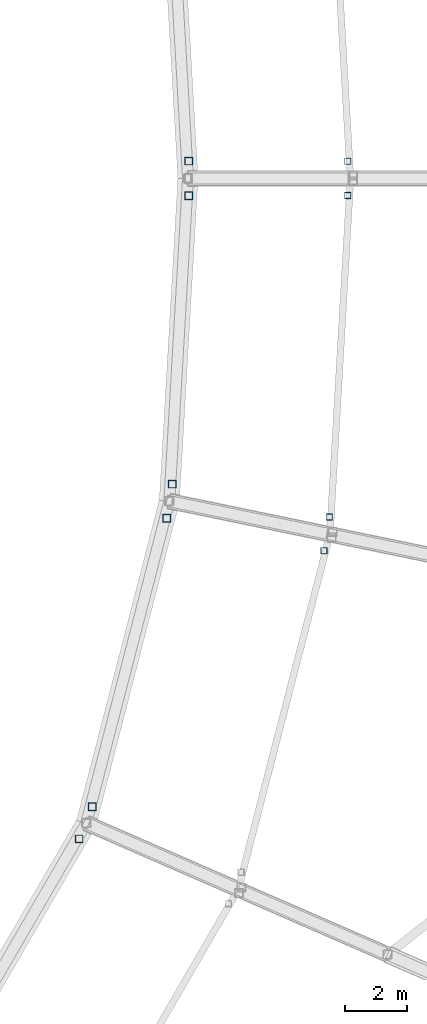
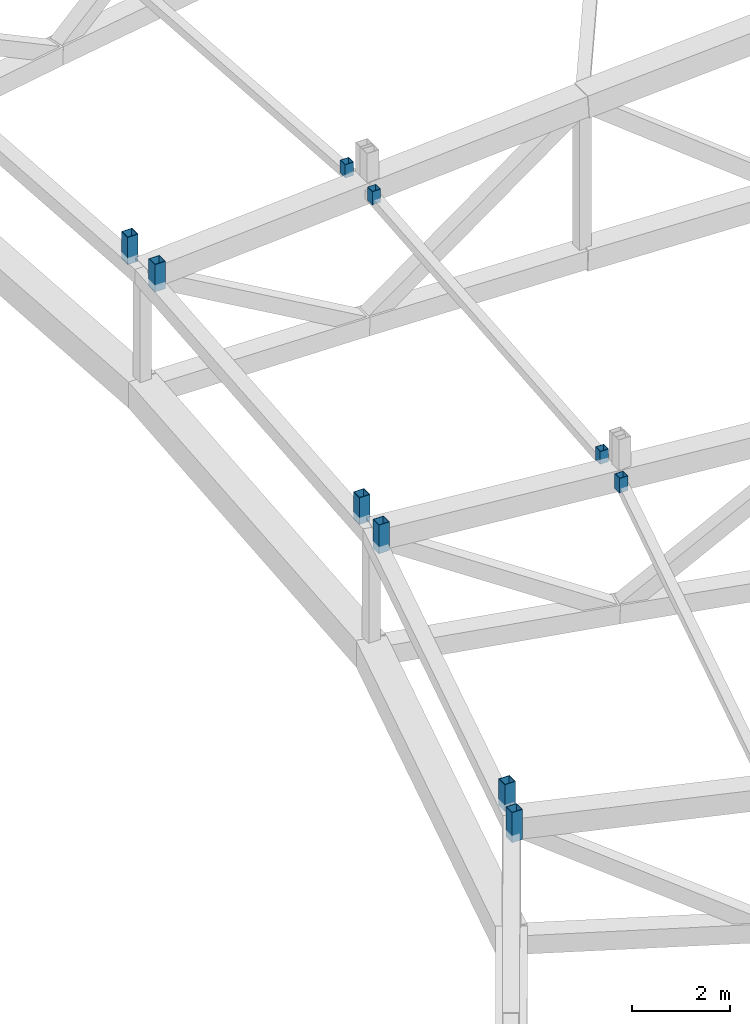
# One storey, part 117 of 162: 10 members.
"""IFC4 building model written with IfcOpenShell, lengths in metres."""

import ifcopenshell
import ifcopenshell.guid

model = None  # the IFC model being written
_history = None  # IfcOwnerHistory: only IFC2X3 demands one
_inside = {}  # id of a spatial element -> (the spatial element, [elements in it])
_under = {}  # id of a project, library or spatial element -> (it, [spatial elements below it])
_declared = {}  # id of a project -> (the project, [libraries it declares])
_typed = {}  # id of a type object -> (the type object, [elements of that type])
_made_of = {}  # id of a material, layer set ... -> (it, [elements and type objects made of it])


def new_model(schema):
    """Start an empty IFC model of exactly this schema.

    Asked for "IFC4X3", IfcOpenShell would pick the latest addendum, in which some entities
    have other attributes; the version numbers below select the first issue.
    IFC2X3 requires an IfcOwnerHistory on every rooted entity: one is made here for all.
    """
    global model, _history
    if schema == "IFC4X3":
        model = ifcopenshell.file(schema_version=(4, 3, 0, 0))
    else:
        model = ifcopenshell.file(schema=schema)
    _inside.clear()
    _under.clear()
    _declared.clear()
    _typed.clear()
    _made_of.clear()
    _history = None
    if model.schema == "IFC2X3":
        org = make("IfcOrganization", Name="unknown")
        user = make(
            "IfcPersonAndOrganization",
            ThePerson=make("IfcPerson", FamilyName="unknown"),
            TheOrganization=org,
        )
        app = make(
            "IfcApplication",
            ApplicationDeveloper=org,
            Version="unknown",
            ApplicationFullName="unknown",
            ApplicationIdentifier="unknown",
        )
        _history = make(
            "IfcOwnerHistory",
            OwningUser=user,
            OwningApplication=app,
            ChangeAction="ADDED",
            CreationDate=0,
        )
    return model


def make(cls, **values):
    """One entity of the class cls with the attributes given. An attribute that is None is left unset."""
    return model.create_entity(
        cls, **{name: value for name, value in values.items() if value is not None}
    )


def rooted(cls, **values):
    """An entity with a GlobalId (a new one), such as an element, a storey or a relation."""
    return make(cls, GlobalId=ifcopenshell.guid.new(), OwnerHistory=_history, **values)


def si_unit(unit_type, name, prefix=None):
    """IfcSIUnit, for example si_unit("LENGTHUNIT", "METRE", prefix="MILLI")."""
    return make("IfcSIUnit", UnitType=unit_type, Prefix=prefix, Name=name)


def assignment(units):
    """IfcUnitAssignment: the units of a project."""
    return None if units is None else make("IfcUnitAssignment", Units=units)


def point(xyz):
    """IfcCartesianPoint."""
    return None if xyz is None else make("IfcCartesianPoint", Coordinates=xyz)


def direction(xyz):
    """IfcDirection."""
    return None if xyz is None else make("IfcDirection", DirectionRatios=xyz)


def frame(location, z_axis=None, x_axis=None):
    """IfcAxis2Placement3D, a coordinate frame: its origin and axes. An axis left out is left unset."""
    return make(
        "IfcAxis2Placement3D",
        Location=point(location),
        Axis=direction(z_axis),
        RefDirection=direction(x_axis),
    )


def frame_2d(location, x_axis=None):
    """IfcAxis2Placement2D, a coordinate frame in the plane: its origin and x axis."""
    return make(
        "IfcAxis2Placement2D", Location=point(location), RefDirection=direction(x_axis)
    )


def origin():
    """The frame at (0, 0, 0) with its axes left unset."""
    return frame((0.0, 0.0, 0.0))


def origin_2d():
    """The frame at (0, 0) in the plane with its x axis left unset."""
    return frame_2d((0.0, 0.0))


def place(relative_to, where):
    """IfcLocalPlacement: puts the frame where relative to a parent placement (None: the world)."""
    return make(
        "IfcLocalPlacement", PlacementRelTo=relative_to, RelativePlacement=where
    )


def context(
    kind, dimensions, precision=None, world=None, true_north=None, identifier=None
):
    """IfcGeometricRepresentationContext, for example the 3D "Model" context."""
    return make(
        "IfcGeometricRepresentationContext",
        ContextIdentifier=identifier,
        ContextType=kind,
        CoordinateSpaceDimension=dimensions,
        Precision=precision,
        WorldCoordinateSystem=world,
        TrueNorth=true_north,
    )


def subcontext(parent, identifier, kind, view, scale=None):
    """IfcGeometricRepresentationSubContext, for example "Body" below "Model"."""
    return make(
        "IfcGeometricRepresentationSubContext",
        ContextIdentifier=identifier,
        ContextType=kind,
        ParentContext=parent,
        TargetScale=scale,
        TargetView=view,
    )


def project(units=None, contexts=None):
    """IfcProject with its units and contexts."""
    return rooted(
        "IfcProject",
        Name="project",
        RepresentationContexts=contexts,
        UnitsInContext=assignment(units),
    )


def spatial(cls, under=None, at=None, **own):
    """A site, building, storey or space (cls), placed at a placement, below another one or the project."""
    s = rooted(cls, ObjectPlacement=at, **own)
    if under is not None:
        _under.setdefault(under.id(), (under, []))[1].append(s)
    return s


def profile(cls, at=None, kind="AREA", **sizes):
    """A parametric profile (cls). Its sizes go by their IFC names, for example OverallWidth=200.0."""
    return make(cls, ProfileType=kind, Position=at, **sizes)


def hollow_rectangle(**sizes):
    """IfcRectangleHollowProfileDef."""
    return profile("IfcRectangleHollowProfileDef", **sizes)


def extrude(swept, where, along, depth):
    """IfcExtrudedAreaSolid: the profile swept, set in the frame where, extruded along a direction by depth."""
    return make(
        "IfcExtrudedAreaSolid",
        SweptArea=swept,
        Position=where,
        ExtrudedDirection=direction(along),
        Depth=depth,
    )


def shape(context_of_items, identifier, shape_type, items):
    """IfcShapeRepresentation: the items that make up one representation, for example the "Body"."""
    return make(
        "IfcShapeRepresentation",
        ContextOfItems=context_of_items,
        RepresentationIdentifier=identifier,
        RepresentationType=shape_type,
        Items=items,
    )


def material(Name=None, Category=None):
    """IfcMaterial."""
    return make("IfcMaterial", Name=Name, Category=Category)


def material_profile(
    of_material, cross_section, Name=None, Category=None, Priority=None
):
    """IfcMaterialProfile: a cross section and its material."""
    return make(
        "IfcMaterialProfile",
        Name=Name,
        Material=of_material,
        Profile=cross_section,
        Priority=Priority,
        Category=Category,
    )


def profile_set(profiles, Name=None, composite=None):
    """IfcMaterialProfileSet."""
    return make(
        "IfcMaterialProfileSet",
        Name=Name,
        MaterialProfiles=profiles,
        CompositeProfile=composite,
    )


def made_of(thing, what):
    """Note that an element or type object is made of a material, layer set ...; save() writes the relation."""
    if what is not None:
        _made_of.setdefault(what.id(), (what, []))[1].append(thing)
    return thing


def type_object(cls, material=None, **own):
    """A type object (cls), such as IfcWallType, which elements share."""
    return made_of(rooted(cls, **own), material)


def element(
    cls,
    number,
    at=None,
    inside=None,
    cuts=None,
    type_object=None,
    material=None,
    context=None,
    identifier="Body",
    shape_type=None,
    held_by="IfcProductDefinitionShape",
    body=None,
    shapes=None,
    **own,
):
    """One element of the class cls, such as IfcWall. Its Tag is "e" and its number.

    at: its placement. inside: the storey or other place that contains it. cuts: it is an
    opening in that element (IfcRelVoidsElement). A single representation is given by context,
    identifier, shape_type and body (its items); several are given by shapes. held_by: the class
    of the entity that holds the representations. save() writes the other relations.
    """
    e = rooted(cls, Tag="e%d" % number, ObjectPlacement=at, **own)
    if body is not None:
        shapes = [shape(context, identifier, shape_type, body)]
    if shapes is not None:
        e.Representation = make(held_by, Representations=shapes)
    if inside is not None:
        _inside.setdefault(inside.id(), (inside, []))[1].append(e)
    if cuts is not None:
        rooted(
            "IfcRelVoidsElement", RelatingBuildingElement=cuts, RelatedOpeningElement=e
        )
    if type_object is not None:
        _typed.setdefault(type_object.id(), (type_object, []))[1].append(e)
    return made_of(e, material)


def aggregate(whole, parts):
    """IfcRelAggregates: a whole, such as a stair, and the parts it consists of."""
    return rooted("IfcRelAggregates", RelatingObject=whole, RelatedObjects=parts)


def save(model, path):
    """Write the relations noted so far, then the file.

    IfcRelAggregates (storeys below a building ...), IfcRelContainedInSpatialStructure (elements
    in a storey), IfcRelDefinesByType, IfcRelAssociatesMaterial and IfcRelDeclares: one each for
    every whole, place, type object, material and project.
    """
    for whole, parts in _under.values():
        aggregate(whole, parts)
    for where, things in _inside.values():
        rooted(
            "IfcRelContainedInSpatialStructure",
            RelatedElements=things,
            RelatingStructure=where,
        )
    for kind, things in _typed.values():
        rooted("IfcRelDefinesByType", RelatedObjects=things, RelatingType=kind)
    for what, things in _made_of.values():
        rooted("IfcRelAssociatesMaterial", RelatedObjects=things, RelatingMaterial=what)
    for by, libraries in _declared.values():
        rooted("IfcRelDeclares", RelatingContext=by, RelatedDefinitions=libraries)
    model.write(path)


model = new_model("IFC4")

# Units and contexts
model_context = context("Model", 3, precision=1e-05, world=origin(), true_north=direction((0.0, 1.0)))
body_context = subcontext(model_context, "Body", "Model", "MODEL_VIEW")
ifc_project = project(units=[si_unit("LENGTHUNIT", "METRE"), si_unit("AREAUNIT", "SQUARE_METRE"), si_unit("VOLUMEUNIT", "CUBIC_METRE"), si_unit("PLANEANGLEUNIT", "RADIAN"), si_unit("MASSUNIT", "GRAM", prefix="KILO")], contexts=[model_context])

# Site, building, storey
site_placement = place(None, origin())
site = spatial("IfcSite", under=ifc_project, at=site_placement, CompositionType="ELEMENT")
building_placement = place(site_placement, origin())
building = spatial("IfcBuilding", under=site, at=building_placement, Name="Kazemori Nagisa Stadium", CompositionType="ELEMENT")
storey_placement = place(building_placement, frame((0.0, 0.0, 36.719970703125)))
storey = spatial("IfcBuildingStorey", under=building, at=storey_placement, Name="RF", CompositionType="ELEMENT", Elevation=36.719970703125)

# Members
ifc_material = material(Name="Steel STKR490", Category="steel")
ifc_material_profile_1 = material_profile(ifc_material, hollow_rectangle(XDim=0.25, YDim=0.25, WallThickness=0.011962890625, at=origin_2d()), Name="SHS-250x250x12")
ifc_profile_set_1 = profile_set([ifc_material_profile_1], Name="Steel STKR490")
member_type_1 = type_object("IfcMemberType", Name="Member_ST-SHS250", PredefinedType="STUD", material=ifc_profile_set_1)
member_1_placement = place(storey_placement, frame((173.849609375, 102.55810546875, 4.380126953125), z_axis=(0.0, 0.0, 1.0), x_axis=(1.0, 0.0, 0.0)))
element("IfcMember", 1, at=member_1_placement, inside=storey, type_object=member_type_1, Name="Oculus skylight bearing stool B01-1", PredefinedType="STUD", context=body_context, shape_type="SweptSolid", body=[
    extrude(hollow_rectangle(XDim=0.25, YDim=0.25, WallThickness=0.011962890625, at=origin_2d()), origin(), (0.0, 0.0, 1.0), 0.680908203125),
])
member_2_placement = place(storey_placement, frame((170.322509765625, 80.759765625, 4.43896484375), z_axis=(0.0, 0.0, 1.0), x_axis=(1.0, 0.0, 0.0)))
element("IfcMember", 2, at=member_2_placement, inside=storey, type_object=member_type_1, Name="Oculus skylight bearing stool B26-2", PredefinedType="STUD", context=body_context, shape_type="SweptSolid", body=[
    extrude(hollow_rectangle(XDim=0.25, YDim=0.25, WallThickness=0.011962890625, at=origin_2d()), origin(), (0.0, 0.0, 1.0), 0.748046875),
])
member_3_placement = place(storey_placement, frame((170.74853515625, 81.791748046875, 4.43896484375), z_axis=(0.0, 0.0, 1.0), x_axis=(1.0, 0.0, 0.0)))
element("IfcMember", 3, at=member_3_placement, inside=storey, type_object=member_type_1, Name="Oculus skylight bearing stool B27-1", PredefinedType="STUD", context=body_context, shape_type="SweptSolid", body=[
    extrude(hollow_rectangle(XDim=0.25, YDim=0.25, WallThickness=0.011962890625, at=origin_2d()), origin(), (0.0, 0.0, 1.0), 0.670166015625),
])
member_4_placement = place(storey_placement, frame((173.140869140625, 91.069580078125, 4.39501953125), z_axis=(0.0, 0.0, 1.0), x_axis=(1.0, 0.0, 0.0)))
element("IfcMember", 4, at=member_4_placement, inside=storey, type_object=member_type_1, Name="Oculus skylight bearing stool B27-2", PredefinedType="STUD", context=body_context, shape_type="SweptSolid", body=[
    extrude(hollow_rectangle(XDim=0.25, YDim=0.25, WallThickness=0.011962890625, at=origin_2d()), origin(), (0.0, 0.0, 1.0), 0.714111328125),
])
member_5_placement = place(storey_placement, frame((173.31689453125, 92.17236328125, 4.39501953125), z_axis=(0.0, 0.0, 1.0), x_axis=(1.0, 0.0, 0.0)))
element("IfcMember", 5, at=member_5_placement, inside=storey, type_object=member_type_1, Name="Oculus skylight bearing stool B28-1", PredefinedType="STUD", context=body_context, shape_type="SweptSolid", body=[
    extrude(hollow_rectangle(XDim=0.25, YDim=0.25, WallThickness=0.011962890625, at=origin_2d()), origin(), (0.0, 0.0, 1.0), 0.666015625),
])
member_6_placement = place(storey_placement, frame((173.849609375, 101.44189453125, 4.380126953125), z_axis=(0.0, 0.0, 1.0), x_axis=(1.0, 0.0, 0.0)))
element("IfcMember", 6, at=member_6_placement, inside=storey, type_object=member_type_1, Name="Oculus skylight bearing stool B28-2", PredefinedType="STUD", context=body_context, shape_type="SweptSolid", body=[
    extrude(hollow_rectangle(XDim=0.25, YDim=0.25, WallThickness=0.011962890625, at=origin_2d()), origin(), (0.0, 0.0, 1.0), 0.680908203125),
])
ifc_material_profile_2 = material_profile(ifc_material, hollow_rectangle(XDim=0.199951171875, YDim=0.199951171875, WallThickness=0.009033203125, at=origin_2d()), Name="SHS-200x200x9")
ifc_profile_set_2 = profile_set([ifc_material_profile_2], Name="Steel STKR490")
member_type_2 = type_object("IfcMemberType", Name="Member_TS-SHS200", PredefinedType="STRUT", material=ifc_profile_set_2)
member_7_placement = place(storey_placement, frame((178.9638671875, 102.552978515625, 4.72998046875), z_axis=(0.0, 0.0, 1.0), x_axis=(1.0, 0.0, 0.0)))
element("IfcMember", 7, at=member_7_placement, inside=storey, type_object=member_type_2, Name="Oculus skylight bearing stool B01-4", PredefinedType="STRUT", context=body_context, shape_type="SweptSolid", body=[
    extrude(hollow_rectangle(XDim=0.199951171875, YDim=0.199951171875, WallThickness=0.009033203125, at=origin_2d()), origin(), (0.0, 0.0, 1.0), 0.3310546875),
])
member_8_placement = place(storey_placement, frame((178.19873046875, 90.029052734375, 4.74609375), z_axis=(0.0, 0.0, 1.0), x_axis=(1.0, 0.0, 0.0)))
element("IfcMember", 8, at=member_8_placement, inside=storey, type_object=member_type_2, Name="Oculus skylight bearing stool B27-3", PredefinedType="STRUT", context=body_context, shape_type="SweptSolid", body=[
    extrude(hollow_rectangle(XDim=0.199951171875, YDim=0.199951171875, WallThickness=0.009033203125, at=origin_2d()), origin(), (0.0, 0.0, 1.0), 0.363037109375),
])
member_9_placement = place(storey_placement, frame((178.9638671875, 101.447021484375, 4.72998046875), z_axis=(0.0, 0.0, 1.0), x_axis=(1.0, 0.0, 0.0)))
element("IfcMember", 9, at=member_9_placement, inside=storey, type_object=member_type_2, Name="Oculus skylight bearing stool B28-3", PredefinedType="STRUT", context=body_context, shape_type="SweptSolid", body=[
    extrude(hollow_rectangle(XDim=0.199951171875, YDim=0.199951171875, WallThickness=0.009033203125, at=origin_2d()), origin(), (0.0, 0.0, 1.0), 0.3310546875),
])
member_10_placement = place(storey_placement, frame((178.36962890625, 91.115478515625, 4.74609375), z_axis=(0.0, 0.0, 1.0), x_axis=(1.0, 0.0, 0.0)))
element("IfcMember", 10, at=member_10_placement, inside=storey, type_object=member_type_2, Name="Oculus skylight bearing stool B28-4", PredefinedType="STRUT", context=body_context, shape_type="SweptSolid", body=[
    extrude(hollow_rectangle(XDim=0.199951171875, YDim=0.199951171875, WallThickness=0.009033203125, at=origin_2d()), origin(), (0.0, 0.0, 1.0), 0.31494140625),
])

save(model, "model.ifc")
